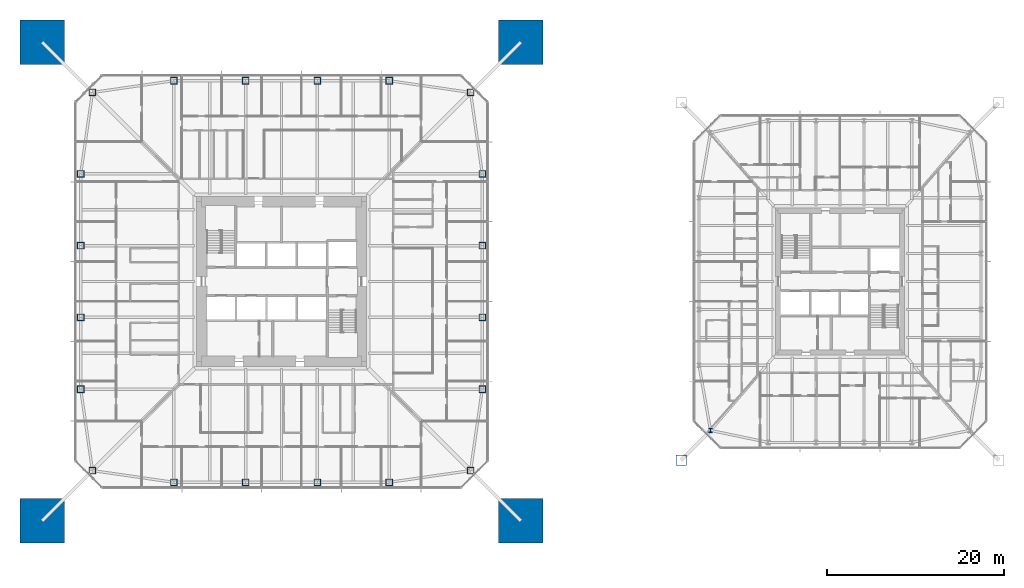
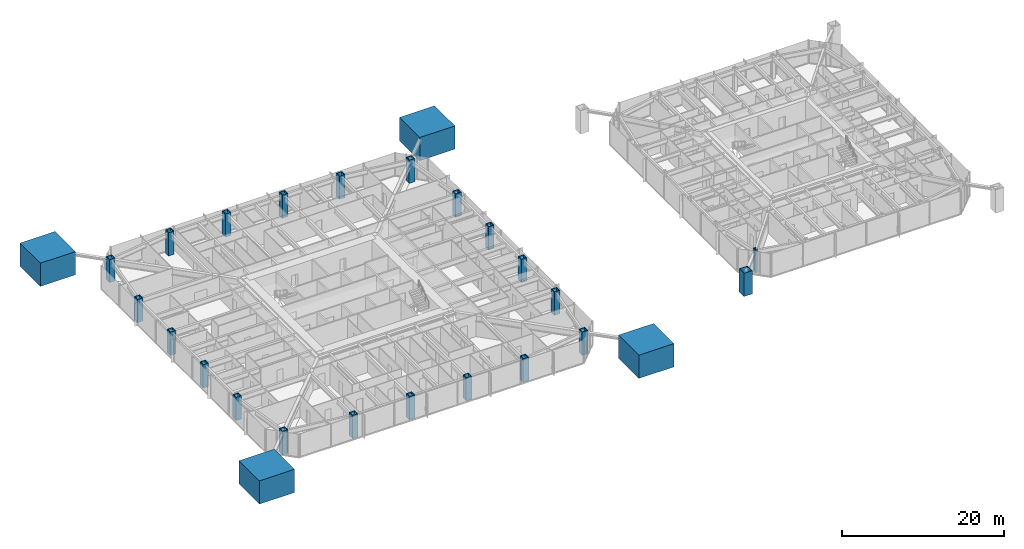
# One storey, part 1 of 26: 26 columns.
"""IFC4 building model written with IfcOpenShell, lengths in metres."""

from ifc_helpers import new_model, si_unit, direction, frame, origin, origin_2d, place, context, subcontext, project, spatial, rectangle, hollow_rectangle, i_section, extrude, material, material_profile, profile_set, type_object, element, save


model = new_model("IFC4")

# Units and contexts
model_context = context("Model", 3, precision=1e-05, world=origin(), true_north=direction((0.0, 1.0)))
body_context = subcontext(model_context, "Body", "Model", "MODEL_VIEW")
ifc_project = project(units=[si_unit("LENGTHUNIT", "METRE"), si_unit("AREAUNIT", "SQUARE_METRE"), si_unit("VOLUMEUNIT", "CUBIC_METRE"), si_unit("PLANEANGLEUNIT", "RADIAN"), si_unit("MASSUNIT", "GRAM", prefix="KILO")], contexts=[model_context])

# Site, building, storey
site_placement = place(None, origin())
site = spatial("IfcSite", under=ifc_project, at=site_placement, CompositionType="ELEMENT")
building_placement = place(site_placement, origin())
building = spatial("IfcBuilding", under=site, at=building_placement, Name="Iwan Alto Co-Living Towers", CompositionType="ELEMENT")
storey_placement = place(building_placement, frame((0.0, 0.0, 67.5)))
storey = spatial("IfcBuildingStorey", under=building, at=storey_placement, Name="L18", CompositionType="ELEMENT", Elevation=67.5)

# Columns
ifc_material_1 = material(Name="Concrete f'c 70 MPa", Category="concrete")
ifc_material_profile_1 = material_profile(ifc_material_1, rectangle(XDim=5.0, YDim=5.0, at=origin_2d()), Name="RC 5000X5000")
ifc_profile_set_1 = profile_set([ifc_material_profile_1], Name="Concrete f'c 70 MPa")
column_type_1 = type_object("IfcColumnType", Name="T1 MEGA COLUMN RC 5000X5000", PredefinedType="COLUMN", material=ifc_profile_set_1)
for number, where, z_axis, x_axis, name in (
    (1, (-27.0, -27.0, 0.0), (0.0, 0.0, 1.0), (1.0, 0.0, 0.0), "T1 mega column SW L18"),
    (2, (27.0, -27.0, 0.0), (0.0, 0.0, 1.0), (1.0, 0.0, 0.0), "T1 mega column SE L18"),
    (3, (27.0, 27.0, 0.0), (0.0, 0.0, 1.0), (1.0, 0.0, 0.0), "T1 mega column NE L18"),
    (4, (-27.0, 27.0, 0.0), (0.0, 0.0, 1.0), (1.0, 0.0, 0.0), "T1 mega column NW L18"),
):
    element("IfcColumn", number, at=place(storey_placement, frame(where, z_axis=z_axis, x_axis=x_axis)), inside=storey, type_object=column_type_1, Name=name, PredefinedType="COLUMN", context=body_context, shape_type="SweptSolid", body=[
        extrude(rectangle(XDim=5.0, YDim=5.0, at=origin_2d()), origin(), (0.0, 0.0, 1.0), 3.5),
        extrude(i_section(OverallWidth=0.4775390625, OverallDepth=0.599365234375, WebThickness=0.10009765625, FlangeThickness=0.139892578125, at=origin_2d()), origin(), (0.0, 0.0, 1.0), 3.5),
    ])
ifc_material_2 = material(Name="Steel ASTM A572 Gr 50", Category="steel")
ifc_material_profile_2 = material_profile(ifc_material_2, hollow_rectangle(XDim=0.800048828125, YDim=0.800048828125, WallThickness=0.090087890625, at=origin_2d()), Name="BOX 800X800X90")
ifc_profile_set_2 = profile_set([ifc_material_profile_2], Name="Steel ASTM A572 Gr 50")
column_type_2 = type_object("IfcColumnType", Name="T1 RING COLUMN BOX 800X800X90", PredefinedType="COLUMN", material=ifc_profile_set_2)
for number, where, z_axis, x_axis, name in (
    (5, (-21.32568359375, -21.32568359375, 0.0), (0.0, 0.0, 1.0), (1.0, 0.0, 0.0), "T1 ring column CSW L18"),
    (6, (-12.14990234375, -22.64990234375, 0.0), (0.0, 0.0, 1.0), (1.0, 0.0, 0.0), "T1 ring column S1 L18"),
    (7, (-4.050048828125, -22.64990234375, 0.0), (0.0, 0.0, 1.0), (1.0, 0.0, 0.0), "T1 ring column S2 L18"),
    (8, (4.050048828125, -22.64990234375, 0.0), (0.0, 0.0, 1.0), (1.0, 0.0, 0.0), "T1 ring column S3 L18"),
    (9, (12.14990234375, -22.64990234375, 0.0), (0.0, 0.0, 1.0), (1.0, 0.0, 0.0), "T1 ring column S4 L18"),
    (10, (21.32568359375, -21.32568359375, 0.0), (0.0, 0.0, 1.0), (1.0, 0.0, 0.0), "T1 ring column CSE L18"),
    (11, (22.64990234375, -12.14990234375, 0.0), (0.0, 0.0, 1.0), (1.0, 0.0, 0.0), "T1 ring column E1 L18"),
    (12, (22.64990234375, -4.050048828125, 0.0), (0.0, 0.0, 1.0), (1.0, 0.0, 0.0), "T1 ring column E2 L18"),
    (13, (22.64990234375, 4.050048828125, 0.0), (0.0, 0.0, 1.0), (1.0, 0.0, 0.0), "T1 ring column E3 L18"),
    (14, (22.64990234375, 12.14990234375, 0.0), (0.0, 0.0, 1.0), (1.0, 0.0, 0.0), "T1 ring column E4 L18"),
    (15, (21.32568359375, 21.32568359375, 0.0), (0.0, 0.0, 1.0), (1.0, 0.0, 0.0), "T1 ring column CNE L18"),
    (16, (12.14990234375, 22.64990234375, 0.0), (0.0, 0.0, 1.0), (1.0, 0.0, 0.0), "T1 ring column N1 L18"),
    (17, (4.050048828125, 22.64990234375, 0.0), (0.0, 0.0, 1.0), (1.0, 0.0, 0.0), "T1 ring column N2 L18"),
    (18, (-4.050048828125, 22.64990234375, 0.0), (0.0, 0.0, 1.0), (1.0, 0.0, 0.0), "T1 ring column N3 L18"),
    (19, (-12.14990234375, 22.64990234375, 0.0), (0.0, 0.0, 1.0), (1.0, 0.0, 0.0), "T1 ring column N4 L18"),
    (20, (-21.32568359375, 21.32568359375, 0.0), (0.0, 0.0, 1.0), (1.0, 0.0, 0.0), "T1 ring column CNW L18"),
    (21, (-22.64990234375, 12.14990234375, 0.0), (0.0, 0.0, 1.0), (1.0, 0.0, 0.0), "T1 ring column W1 L18"),
    (22, (-22.64990234375, 4.050048828125, 0.0), (0.0, 0.0, 1.0), (1.0, 0.0, 0.0), "T1 ring column W2 L18"),
    (23, (-22.64990234375, -4.050048828125, 0.0), (0.0, 0.0, 1.0), (1.0, 0.0, 0.0), "T1 ring column W3 L18"),
    (24, (-22.64990234375, -12.14990234375, 0.0), (0.0, 0.0, 1.0), (1.0, 0.0, 0.0), "T1 ring column W4 L18"),
):
    element("IfcColumn", number, at=place(storey_placement, frame(where, z_axis=z_axis, x_axis=x_axis)), inside=storey, type_object=column_type_2, Name=name, PredefinedType="COLUMN", context=body_context, shape_type="SweptSolid", body=[
        extrude(hollow_rectangle(XDim=0.800048828125, YDim=0.800048828125, WallThickness=0.090087890625, at=origin_2d()), origin(), (0.0, 0.0, 1.0), 3.5),
    ])
ifc_material_3 = material(Name="Steel ASTM A572 Gr 50", Category="steel")
ifc_material_profile_3 = material_profile(ifc_material_3, hollow_rectangle(XDim=1.199951171875, YDim=1.199951171875, WallThickness=0.070068359375, at=origin_2d()), Name="BOX 1200X1200X70")
ifc_profile_set_3 = profile_set([ifc_material_profile_3], Name="Steel ASTM A572 Gr 50")
column_type_3 = type_object("IfcColumnType", Name="T2 MEGA COLUMN BOX 1200X1200X70", PredefinedType="COLUMN", material=ifc_profile_set_3)
column_1_placement = place(storey_placement, frame((45.10009765625, -20.14990234375, 0.0), z_axis=(0.0, 0.0, 1.0), x_axis=(1.0, 0.0, 0.0)))
element("IfcColumn", 25, at=column_1_placement, inside=storey, type_object=column_type_3, Name="T2 mega column SW L18", PredefinedType="COLUMN", context=body_context, shape_type="SweptSolid", body=[
    extrude(hollow_rectangle(XDim=1.199951171875, YDim=1.199951171875, WallThickness=0.070068359375, at=origin_2d()), origin(), (0.0, 0.0, 1.0), 3.5),
])
ifc_material_4 = material(Name="Steel ASTM A992 Gr 50", Category="steel")
ifc_material_profile_4 = material_profile(ifc_material_4, i_section(OverallWidth=0.424072265625, OverallDepth=0.47509765625, WebThickness=0.0478515625, FlangeThickness=0.0771484375, at=origin_2d()), Name="W14X426")
ifc_profile_set_4 = profile_set([ifc_material_profile_4], Name="Steel ASTM A992 Gr 50")
column_type_4 = type_object("IfcColumnType", Name="T2 RING COLUMN W14X426", PredefinedType="COLUMN", material=ifc_profile_set_4)
column_2_placement = place(storey_placement, frame((48.393798828125, -16.797119140625, 0.0), z_axis=(0.0, 0.0, 1.0), x_axis=(1.0, 0.0, 0.0)))
element("IfcColumn", 26, at=column_2_placement, inside=storey, type_object=column_type_4, Name="T2 ring column CSW L18", PredefinedType="COLUMN", context=body_context, shape_type="SweptSolid", body=[
    extrude(i_section(OverallWidth=0.424072265625, OverallDepth=0.47509765625, WebThickness=0.0478515625, FlangeThickness=0.0771484375, at=origin_2d()), origin(), (0.0, 0.0, 1.0), 3.5),
])

save(model, "model.ifc")
